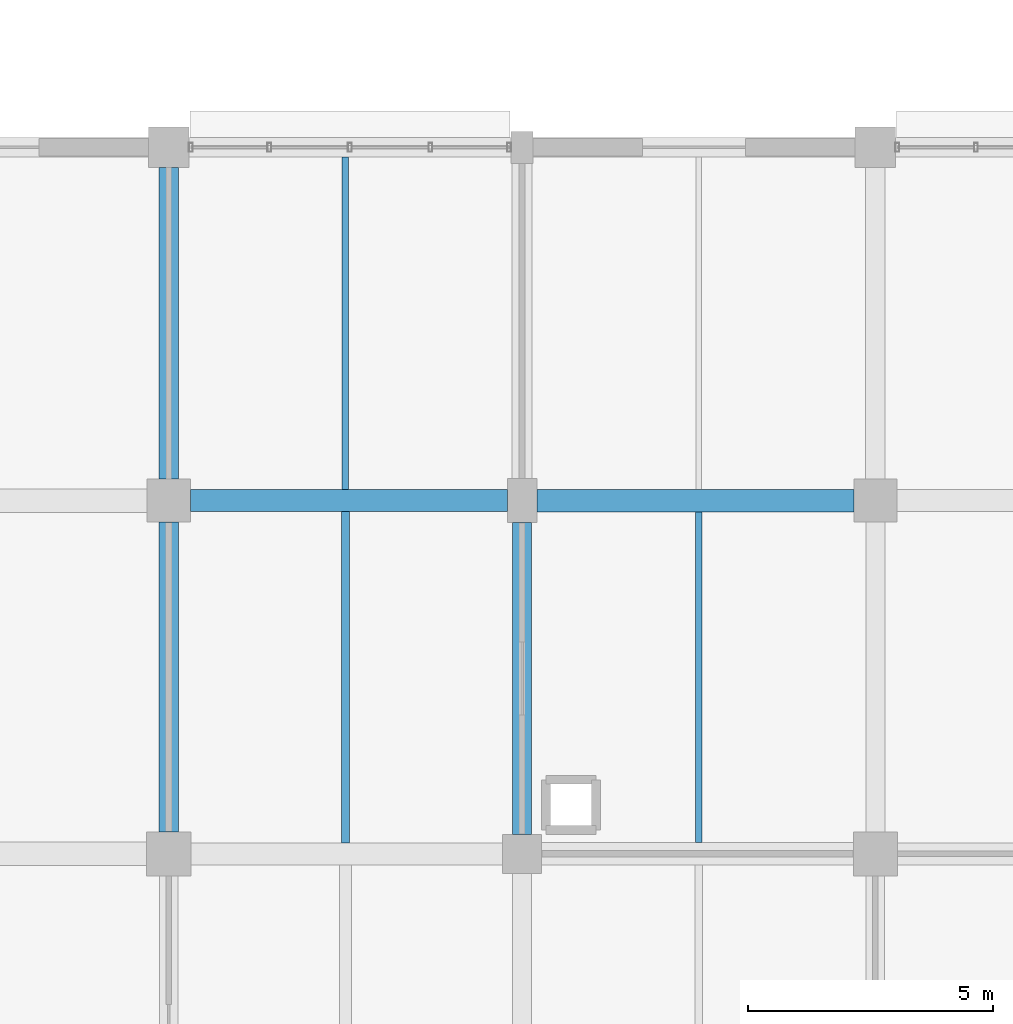
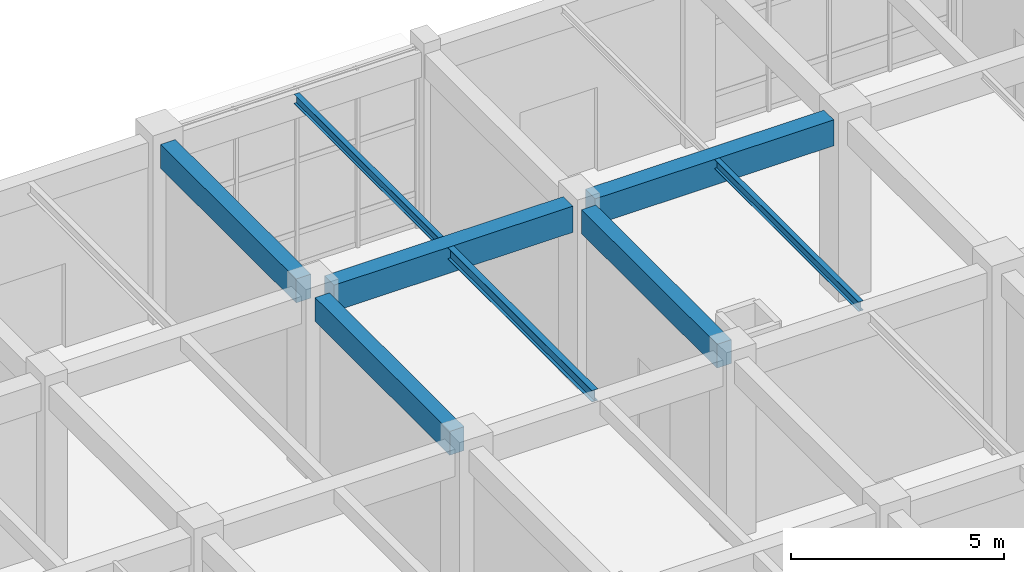
# One storey, part 81 of 160: 8 beams.
"""IFC4 building model written with IfcOpenShell, lengths in metres."""

from ifc_helpers import new_model, si_unit, direction, frame, origin, origin_2d, place, context, subcontext, project, spatial, rectangle, i_section, extrude, material, material_profile, profile_set, type_object, element, save


model = new_model("IFC4")

# Units and contexts
model_context = context("Model", 3, precision=1e-05, world=origin(), true_north=direction((0.0, 1.0)))
body_context = subcontext(model_context, "Body", "Model", "MODEL_VIEW")
ifc_project = project(units=[si_unit("LENGTHUNIT", "METRE"), si_unit("AREAUNIT", "SQUARE_METRE"), si_unit("VOLUMEUNIT", "CUBIC_METRE"), si_unit("PLANEANGLEUNIT", "RADIAN"), si_unit("MASSUNIT", "GRAM", prefix="KILO")], contexts=[model_context])

# Site, building, storey
site_placement = place(None, origin())
site = spatial("IfcSite", under=ifc_project, at=site_placement, CompositionType="ELEMENT")
building_placement = place(site_placement, origin())
building = spatial("IfcBuilding", under=site, at=building_placement, Name="Thalmaran Polytechnic", CompositionType="ELEMENT")
storey_placement = place(building_placement, origin())
storey = spatial("IfcBuildingStorey", under=building, at=storey_placement, Name="L00", CompositionType="ELEMENT", Elevation=0.0)

# Beams
ifc_material_1 = material(Name="Concrete C40/50", Category="concrete")
ifc_material_profile_1 = material_profile(ifc_material_1, rectangle(XDim=0.449951171875, YDim=0.75, at=origin_2d()), Name="RC 450x750")
ifc_profile_set_1 = profile_set([ifc_material_profile_1], Name="Concrete C40/50")
beam_type_1 = type_object("IfcBeamType", Name="BM-RC03", PredefinedType="BEAM", material=ifc_profile_set_1)
beam_1_placement = place(storey_placement, frame((79.639892578125, 115.199951171875, 4.715087890625), z_axis=(1.0, 0.0, 0.0), x_axis=(0.0, 1.0, 0.0)))
element("IfcBeam", 1, at=beam_1_placement, inside=storey, type_object=beam_type_1, Name="Grid Beam B03 L00 X(11,16)", PredefinedType="BEAM", context=body_context, shape_type="SweptSolid", body=[
    extrude(rectangle(XDim=0.449951171875, YDim=0.75, at=origin_2d()), origin(), (0.0, 0.0, 1.0), 6.460205078125),
])
ifc_material_profile_2 = material_profile(ifc_material_1, rectangle(XDim=0.389892578125, YDim=0.68505859375, at=origin_2d()), Name="RC 390x685")
ifc_profile_set_2 = profile_set([ifc_material_profile_2], Name="Concrete C40/50")
beam_type_2 = type_object("IfcBeamType", Name="BM-RC08", PredefinedType="BEAM", material=ifc_profile_set_2)
beam_2_placement = place(storey_placement, frame((79.199951171875, 108.449951171875, 4.74755859375), z_axis=(0.0, 1.0, 0.0), x_axis=(-1.0, 0.0, 0.0)))
element("IfcBeam", 2, at=beam_2_placement, inside=storey, type_object=beam_type_2, Name="Grid Beam B08 L00 Y(11,15)", PredefinedType="BEAM", context=body_context, shape_type="SweptSolid", body=[
    extrude(rectangle(XDim=0.389892578125, YDim=0.68505859375, at=origin_2d()), origin(), (0.0, 0.0, 1.0), 6.31005859375),
])
beam_3_placement = place(storey_placement, frame((86.39990234375, 108.39990234375, 4.74755859375), z_axis=(0.0, 1.0, 0.0), x_axis=(-1.0, 0.0, 0.0)))
element("IfcBeam", 3, at=beam_3_placement, inside=storey, type_object=beam_type_2, Name="Grid Beam B08 L00 Y(12,15)", PredefinedType="BEAM", context=body_context, shape_type="SweptSolid", body=[
    extrude(rectangle(XDim=0.389892578125, YDim=0.68505859375, at=origin_2d()), origin(), (0.0, 0.0, 1.0), 6.35009765625),
])
ifc_material_2 = material(Name="Steel S355", Category="steel")
ifc_material_profile_3 = material_profile(ifc_material_2, i_section(OverallWidth=0.159912109375, OverallDepth=0.330078125, WebThickness=0.007568359375, FlangeThickness=0.011474609375, at=origin_2d()), Name="IPE 330")
ifc_profile_set_3 = profile_set([ifc_material_profile_3], Name="Steel S355")
beam_type_3 = type_object("IfcBeamType", Name="BM-SJ02", PredefinedType="JOIST", material=ifc_profile_set_3)
beam_4_placement = place(storey_placement, frame((82.800048828125, 108.22509765625, 4.925048828125), z_axis=(0.0, 1.0, 0.0), x_axis=(-1.0, 0.0, 0.0)))
element("IfcBeam", 4, at=beam_4_placement, inside=storey, type_object=beam_type_3, Name="Secondary Floor Rib SJ02 L00 (11,15)", PredefinedType="JOIST", context=body_context, shape_type="SweptSolid", body=[
    extrude(i_section(OverallWidth=0.159912109375, OverallDepth=0.330078125, WebThickness=0.007568359375, FlangeThickness=0.011474609375, at=origin_2d()), origin(), (0.0, 0.0, 1.0), 6.75),
])
ifc_material_profile_4 = material_profile(ifc_material_2, i_section(OverallWidth=0.135009765625, OverallDepth=0.27001953125, WebThickness=0.006591796875, FlangeThickness=0.01025390625, at=origin_2d()), Name="IPE 270")
ifc_profile_set_4 = profile_set([ifc_material_profile_4], Name="Steel S355")
beam_type_4 = type_object("IfcBeamType", Name="BM-SJ03", PredefinedType="JOIST", material=ifc_profile_set_4)
beam_5_placement = place(storey_placement, frame((82.800048828125, 115.425048828125, 4.955078125), z_axis=(0.0, 1.0, 0.0), x_axis=(-1.0, 0.0, 0.0)))
element("IfcBeam", 5, at=beam_5_placement, inside=storey, type_object=beam_type_4, Name="Secondary Floor Rib SJ03 L00 (11,16)", PredefinedType="JOIST", context=body_context, shape_type="SweptSolid", body=[
    extrude(i_section(OverallWidth=0.135009765625, OverallDepth=0.27001953125, WebThickness=0.006591796875, FlangeThickness=0.01025390625, at=origin_2d()), origin(), (0.0, 0.0, 1.0), 6.77490234375),
])
beam_6_placement = place(storey_placement, frame((90.0, 108.22998046875, 4.955078125), z_axis=(0.0, 1.0, 0.0), x_axis=(-1.0, 0.0, 0.0)))
element("IfcBeam", 6, at=beam_6_placement, inside=storey, type_object=beam_type_4, Name="Secondary Floor Rib SJ03 L00 (12,15)", PredefinedType="JOIST", context=body_context, shape_type="SweptSolid", body=[
    extrude(i_section(OverallWidth=0.135009765625, OverallDepth=0.27001953125, WebThickness=0.006591796875, FlangeThickness=0.01025390625, at=origin_2d()), origin(), (0.0, 0.0, 1.0), 6.739990234375),
])
ifc_material_profile_5 = material_profile(ifc_material_1, rectangle(XDim=0.4599609375, YDim=0.739990234375, at=origin_2d()), Name="RC 460x740")
ifc_profile_set_5 = profile_set([ifc_material_profile_5], Name="Concrete C40/50")
beam_type_5 = type_object("IfcBeamType", Name="BM-ZB02", PredefinedType="BEAM", material=ifc_profile_set_5)
beam_7_placement = place(storey_placement, frame((86.699951171875, 115.199951171875, 4.719970703125), z_axis=(1.0, 0.0, 0.0), x_axis=(0.0, 1.0, 0.0)))
element("IfcBeam", 7, at=beam_7_placement, inside=storey, type_object=beam_type_5, Name="Grid Beam ZB02 L00 X(12,16)", PredefinedType="BEAM", context=body_context, shape_type="SweptSolid", body=[
    extrude(rectangle(XDim=0.4599609375, YDim=0.739990234375, at=origin_2d()), origin(), (0.0, 0.0, 1.0), 6.4599609375),
])
ifc_material_profile_6 = material_profile(ifc_material_1, rectangle(XDim=0.39990234375, YDim=0.68505859375, at=origin_2d()), Name="RC 400x685")
ifc_profile_set_6 = profile_set([ifc_material_profile_6], Name="Concrete C40/50")
beam_type_6 = type_object("IfcBeamType", Name="BM-ZB07", PredefinedType="BEAM", material=ifc_profile_set_6)
beam_8_placement = place(storey_placement, frame((79.199951171875, 115.639892578125, 4.74755859375), z_axis=(0.0, 1.0, 0.0), x_axis=(-1.0, 0.0, 0.0)))
element("IfcBeam", 8, at=beam_8_placement, inside=storey, type_object=beam_type_6, Name="Grid Beam ZB07 L00 Y(11,16)", PredefinedType="BEAM", context=body_context, shape_type="SweptSolid", body=[
    extrude(rectangle(XDim=0.39990234375, YDim=0.68505859375, at=origin_2d()), origin(), (0.0, 0.0, 1.0), 6.35009765625),
])

save(model, "model.ifc")
